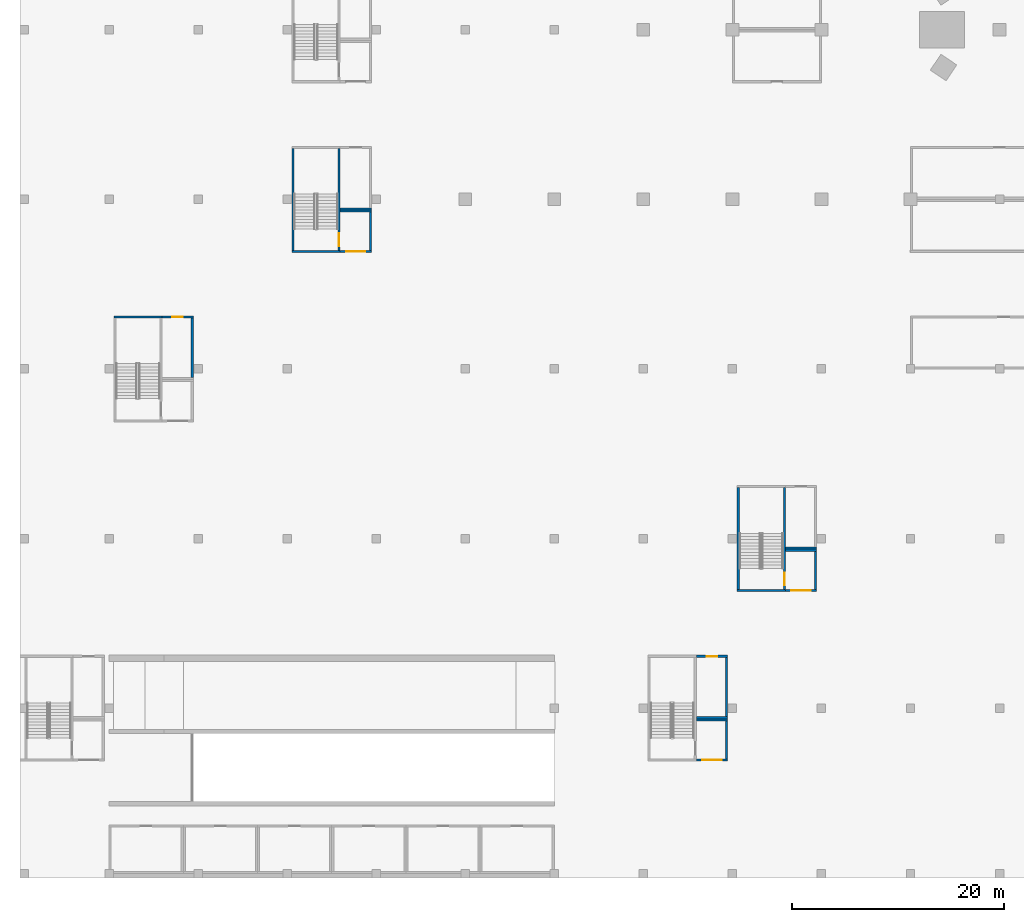
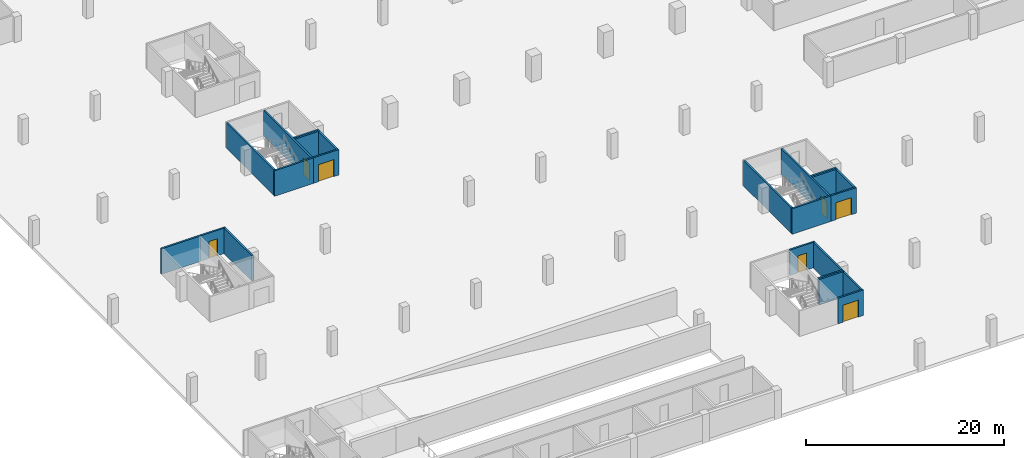
# One storey, part 5 of 37: 23 walls, 7 doors, 7 openings.
"""IFC4 building model written with IfcOpenShell, lengths in metres."""

from ifc_helpers import new_model, si_unit, direction, frame, frame_2d, origin, place, context, subcontext, project, spatial, rectangle, extrude, material, layer, layer_set, type_object, element, fill, save


model = new_model("IFC4")

# Units and contexts
model_context = context("Model", 3, precision=1e-05, world=origin(), true_north=direction((0.0, 1.0)))
body_context = subcontext(model_context, "Body", "Model", "MODEL_VIEW")
ifc_project = project(units=[si_unit("LENGTHUNIT", "METRE"), si_unit("AREAUNIT", "SQUARE_METRE"), si_unit("VOLUMEUNIT", "CUBIC_METRE"), si_unit("PLANEANGLEUNIT", "RADIAN"), si_unit("MASSUNIT", "GRAM", prefix="KILO")], contexts=[model_context])

# Site, building, storey
site_placement = place(None, origin())
site = spatial("IfcSite", under=ifc_project, at=site_placement, CompositionType="ELEMENT")
building_placement = place(site_placement, origin())
building = spatial("IfcBuilding", under=site, at=building_placement, Name="Tamra Quay Hotel Tower", CompositionType="ELEMENT")
storey_placement = place(building_placement, frame((0.0, 0.0, -3.60009765625)))
storey = spatial("IfcBuildingStorey", under=building, at=storey_placement, Name="B1", CompositionType="ELEMENT", Elevation=-3.60009765625)

# Wall, opening, door
ifc_material_1 = material(Name="Blockwork", Category="masonry")
ifc_layer_1 = layer(ifc_material_1, 0.199951171875)
ifc_layer_set_1 = layer_set([ifc_layer_1], Name="Car park room wall 200")
wall_type_1 = type_object("IfcWallType", Name="Car park room wall 200", PredefinedType="PARTITIONING", material=ifc_layer_set_1)
wall_1_placement = place(storey_placement, frame((-109.300048828125, -27.10009765625, 0.0), z_axis=(0.0, 0.0, 1.0), x_axis=(1.0, 0.0, 0.0)))
wall_1 = element("IfcWall", 1, at=wall_1_placement, inside=storey, type_object=wall_type_1, Name="PW", PredefinedType="PARTITIONING", context=body_context, shape_type="SweptSolid", body=[
    extrude(rectangle(XDim=2.949951171875, YDim=0.199951171875, at=frame_2d((1.47509765625, 0.0))), origin(), (0.0, 0.0, 1.0), 3.150146484375),
])
opening_1_placement = place(wall_1_placement, frame((0.97509765625, 0.0, 0.0)))
opening_1 = element("IfcOpeningElement", 2, at=opening_1_placement, cuts=wall_1, Name="Opening PD1", PredefinedType="OPENING", context=body_context, shape_type="SweptSolid", body=[
    extrude(rectangle(XDim=1.0, YDim=2.10009765625, at=frame_2d((0.5, 1.050048828125))), frame((0.0, 0.10986328125, 0.0), z_axis=(0.0, -1.0, 0.0), x_axis=(1.0, 0.0, 0.0)), (0.0, 0.0, 1.0), 0.219970703125),
])
ifc_material_2 = material(Name="Car park door 1000 x 2100")
door_type_1 = type_object("IfcDoorType", Name="Car park door 1000 x 2100", OperationType="NOTDEFINED", PredefinedType="DOOR", material=ifc_material_2)
door_1_placement = place(opening_1_placement, origin())
door_1 = element("IfcDoor", 3, at=door_1_placement, inside=storey, type_object=door_type_1, Name="PD1", OperationType="SINGLE_SWING_LEFT", OverallHeight=2.10009765625, OverallWidth=1.0, PredefinedType="DOOR", context=body_context, shape_type="SweptSolid", body=[
    extrude(rectangle(XDim=1.0, YDim=2.10009765625, at=frame_2d((0.5, 1.050048828125))), frame((0.0, 0.02490234375, 0.0), z_axis=(0.0, -1.0, 0.0), x_axis=(1.0, 0.0, 0.0)), (0.0, 0.0, 1.0), 0.050048828125),
])
fill(opening_1, door_1)

# Wall
wall_2_placement = place(storey_placement, frame((-106.449951171875, -32.800048828125, 0.0), z_axis=(0.0, 0.0, 1.0), x_axis=(0.0, 1.0, 0.0)))
element("IfcWall", 4, at=wall_2_placement, inside=storey, type_object=wall_type_1, Name="PW", PredefinedType="PARTITIONING", context=body_context, shape_type="SweptSolid", body=[
    extrude(rectangle(XDim=5.60009765625, YDim=0.199951171875, at=frame_2d((2.800048828125, 0.0))), origin(), (0.0, 0.0, 1.0), 3.150146484375),
])

# Wall, opening, door
wall_3_placement = place(storey_placement, frame((-92.5, -20.89990234375, 0.0), z_axis=(0.0, 0.0, 1.0), x_axis=(1.0, 0.0, 0.0)))
wall_3 = element("IfcWall", 5, at=wall_3_placement, inside=storey, type_object=wall_type_1, Name="PW", PredefinedType="PARTITIONING", context=body_context, shape_type="SweptSolid", body=[
    extrude(rectangle(XDim=2.949951171875, YDim=0.199951171875, at=frame_2d((1.47509765625, 0.0))), origin(), (0.0, 0.0, 1.0), 3.150146484375),
])
opening_2_placement = place(wall_3_placement, frame((0.574951171875, 0.0, 0.0)))
opening_2 = element("IfcOpeningElement", 6, at=opening_2_placement, cuts=wall_3, Name="Opening PD2", PredefinedType="OPENING", context=body_context, shape_type="SweptSolid", body=[
    extrude(rectangle(XDim=1.800048828125, YDim=2.10009765625, at=frame_2d((0.89990234375, 1.050048828125))), frame((0.0, 0.10986328125, 0.0), z_axis=(0.0, -1.0, 0.0), x_axis=(1.0, 0.0, 0.0)), (0.0, 0.0, 1.0), 0.219970703125),
])
ifc_material_3 = material(Name="Plant door 1800 x 2100")
door_type_2 = type_object("IfcDoorType", Name="Plant door 1800 x 2100", OperationType="DOUBLE_DOOR_SINGLE_SWING", PredefinedType="DOOR", material=ifc_material_3)
door_2_placement = place(opening_2_placement, origin())
door_2 = element("IfcDoor", 7, at=door_2_placement, inside=storey, type_object=door_type_2, Name="PD2", OperationType="DOUBLE_DOOR_SINGLE_SWING", OverallHeight=2.10009765625, OverallWidth=1.800048828125, PredefinedType="DOOR", context=body_context, shape_type="SweptSolid", body=[
    extrude(rectangle(XDim=1.800048828125, YDim=2.10009765625, at=frame_2d((0.89990234375, 1.050048828125))), frame((0.0, 0.02490234375, 0.0), z_axis=(0.0, -1.0, 0.0), x_axis=(1.0, 0.0, 0.0)), (0.0, 0.0, 1.0), 0.050048828125),
])
fill(opening_2, door_2)

# Walls
wall_4_placement = place(storey_placement, frame((-92.5, -17.10009765625, 0.0), z_axis=(0.0, 0.0, 1.0), x_axis=(1.0, 0.0, 0.0)))
element("IfcWall", 8, at=wall_4_placement, inside=storey, type_object=wall_type_1, Name="PW", PredefinedType="PARTITIONING", context=body_context, shape_type="SweptSolid", body=[
    extrude(rectangle(XDim=2.949951171875, YDim=0.199951171875, at=frame_2d((1.47509765625, 0.0))), origin(), (0.0, 0.0, 1.0), 3.150146484375),
])
wall_5_placement = place(storey_placement, frame((-89.64990234375, -20.800048828125, 0.0), z_axis=(0.0, 0.0, 1.0), x_axis=(0.0, 1.0, 0.0)))
element("IfcWall", 9, at=wall_5_placement, inside=storey, type_object=wall_type_1, Name="PW", PredefinedType="PARTITIONING", context=body_context, shape_type="SweptSolid", body=[
    extrude(rectangle(XDim=3.60009765625, YDim=0.199951171875, at=frame_2d((1.800048828125, 0.0))), origin(), (0.0, 0.0, 1.0), 3.150146484375),
])
wall_6_placement = place(storey_placement, frame((-92.5, -16.89990234375, 0.0), z_axis=(0.0, 0.0, 1.0), x_axis=(1.0, 0.0, 0.0)))
element("IfcWall", 10, at=wall_6_placement, inside=storey, type_object=wall_type_1, Name="PW", PredefinedType="PARTITIONING", context=body_context, shape_type="SweptSolid", body=[
    extrude(rectangle(XDim=2.949951171875, YDim=0.199951171875, at=frame_2d((1.47509765625, 0.0))), origin(), (0.0, 0.0, 1.0), 3.150146484375),
])

# Wall, opening, door
wall_7_placement = place(storey_placement, frame((-58.89990234375, -68.89990234375, 0.0), z_axis=(0.0, 0.0, 1.0), x_axis=(1.0, 0.0, 0.0)))
wall_7 = element("IfcWall", 11, at=wall_7_placement, inside=storey, type_object=wall_type_1, Name="PW", PredefinedType="PARTITIONING", context=body_context, shape_type="SweptSolid", body=[
    extrude(rectangle(XDim=2.949951171875, YDim=0.199951171875, at=frame_2d((1.47509765625, 0.0))), origin(), (0.0, 0.0, 1.0), 3.150146484375),
])
opening_3_placement = place(wall_7_placement, frame((0.574951171875, 0.0, 0.0)))
opening_3 = element("IfcOpeningElement", 12, at=opening_3_placement, cuts=wall_7, Name="Opening PD2", PredefinedType="OPENING", context=body_context, shape_type="SweptSolid", body=[
    extrude(rectangle(XDim=1.800048828125, YDim=2.10009765625, at=frame_2d((0.89990234375, 1.050048828125))), frame((0.0, 0.10986328125, 0.0), z_axis=(0.0, -1.0, 0.0), x_axis=(1.0, 0.0, 0.0)), (0.0, 0.0, 1.0), 0.219970703125),
])
door_3_placement = place(opening_3_placement, origin())
door_3 = element("IfcDoor", 13, at=door_3_placement, inside=storey, type_object=door_type_2, Name="PD2", OperationType="DOUBLE_DOOR_SINGLE_SWING", OverallHeight=2.10009765625, OverallWidth=1.800048828125, PredefinedType="DOOR", context=body_context, shape_type="SweptSolid", body=[
    extrude(rectangle(XDim=1.800048828125, YDim=2.10009765625, at=frame_2d((0.89990234375, 1.050048828125))), frame((0.0, 0.02490234375, 0.0), z_axis=(0.0, -1.0, 0.0), x_axis=(1.0, 0.0, 0.0)), (0.0, 0.0, 1.0), 0.050048828125),
])
fill(opening_3, door_3)

# Walls
wall_8_placement = place(storey_placement, frame((-58.89990234375, -65.10009765625, 0.0), z_axis=(0.0, 0.0, 1.0), x_axis=(1.0, 0.0, 0.0)))
element("IfcWall", 14, at=wall_8_placement, inside=storey, type_object=wall_type_1, Name="PW", PredefinedType="PARTITIONING", context=body_context, shape_type="SweptSolid", body=[
    extrude(rectangle(XDim=2.949951171875, YDim=0.199951171875, at=frame_2d((1.47509765625, 0.0))), origin(), (0.0, 0.0, 1.0), 3.150146484375),
])
wall_9_placement = place(storey_placement, frame((-56.050048828125, -68.800048828125, 0.0), z_axis=(0.0, 0.0, 1.0), x_axis=(0.0, 1.0, 0.0)))
element("IfcWall", 15, at=wall_9_placement, inside=storey, type_object=wall_type_1, Name="PW", PredefinedType="PARTITIONING", context=body_context, shape_type="SweptSolid", body=[
    extrude(rectangle(XDim=3.60009765625, YDim=0.199951171875, at=frame_2d((1.800048828125, 0.0))), origin(), (0.0, 0.0, 1.0), 3.150146484375),
])
wall_10_placement = place(storey_placement, frame((-58.89990234375, -64.89990234375, 0.0), z_axis=(0.0, 0.0, 1.0), x_axis=(1.0, 0.0, 0.0)))
element("IfcWall", 16, at=wall_10_placement, inside=storey, type_object=wall_type_1, Name="PW", PredefinedType="PARTITIONING", context=body_context, shape_type="SweptSolid", body=[
    extrude(rectangle(XDim=2.949951171875, YDim=0.199951171875, at=frame_2d((1.47509765625, 0.0))), origin(), (0.0, 0.0, 1.0), 3.150146484375),
])

# Wall, opening, door
wall_11_placement = place(storey_placement, frame((-58.89990234375, -59.10009765625, 0.0), z_axis=(0.0, 0.0, 1.0), x_axis=(1.0, 0.0, 0.0)))
wall_11 = element("IfcWall", 17, at=wall_11_placement, inside=storey, type_object=wall_type_1, Name="PW", PredefinedType="PARTITIONING", context=body_context, shape_type="SweptSolid", body=[
    extrude(rectangle(XDim=2.949951171875, YDim=0.199951171875, at=frame_2d((1.47509765625, 0.0))), origin(), (0.0, 0.0, 1.0), 3.150146484375),
])
opening_4_placement = place(wall_11_placement, frame((0.97509765625, 0.0, 0.0)))
opening_4 = element("IfcOpeningElement", 18, at=opening_4_placement, cuts=wall_11, Name="Opening PD1", PredefinedType="OPENING", context=body_context, shape_type="SweptSolid", body=[
    extrude(rectangle(XDim=1.0, YDim=2.10009765625, at=frame_2d((0.5, 1.050048828125))), frame((0.0, 0.10986328125, 0.0), z_axis=(0.0, -1.0, 0.0), x_axis=(1.0, 0.0, 0.0)), (0.0, 0.0, 1.0), 0.219970703125),
])
door_4_placement = place(opening_4_placement, origin())
door_4 = element("IfcDoor", 19, at=door_4_placement, inside=storey, type_object=door_type_1, Name="PD1", OperationType="SINGLE_SWING_LEFT", OverallHeight=2.10009765625, OverallWidth=1.0, PredefinedType="DOOR", context=body_context, shape_type="SweptSolid", body=[
    extrude(rectangle(XDim=1.0, YDim=2.10009765625, at=frame_2d((0.5, 1.050048828125))), frame((0.0, 0.02490234375, 0.0), z_axis=(0.0, -1.0, 0.0), x_axis=(1.0, 0.0, 0.0)), (0.0, 0.0, 1.0), 0.050048828125),
])
fill(opening_4, door_4)

# Wall
wall_12_placement = place(storey_placement, frame((-56.050048828125, -64.800048828125, 0.0), z_axis=(0.0, 0.0, 1.0), x_axis=(0.0, 1.0, 0.0)))
element("IfcWall", 20, at=wall_12_placement, inside=storey, type_object=wall_type_1, Name="PW", PredefinedType="PARTITIONING", context=body_context, shape_type="SweptSolid", body=[
    extrude(rectangle(XDim=5.60009765625, YDim=0.199951171875, at=frame_2d((2.800048828125, 0.0))), origin(), (0.0, 0.0, 1.0), 3.150146484375),
])

# Wall, opening, door
wall_13_placement = place(storey_placement, frame((-50.5, -52.89990234375, 0.0), z_axis=(0.0, 0.0, 1.0), x_axis=(1.0, 0.0, 0.0)))
wall_13 = element("IfcWall", 21, at=wall_13_placement, inside=storey, type_object=wall_type_1, Name="PW", PredefinedType="PARTITIONING", context=body_context, shape_type="SweptSolid", body=[
    extrude(rectangle(XDim=2.949951171875, YDim=0.199951171875, at=frame_2d((1.47509765625, 0.0))), origin(), (0.0, 0.0, 1.0), 3.150146484375),
])
opening_5_placement = place(wall_13_placement, frame((0.574951171875, 0.0, 0.0)))
opening_5 = element("IfcOpeningElement", 22, at=opening_5_placement, cuts=wall_13, Name="Opening PD2", PredefinedType="OPENING", context=body_context, shape_type="SweptSolid", body=[
    extrude(rectangle(XDim=1.800048828125, YDim=2.10009765625, at=frame_2d((0.89990234375, 1.050048828125))), frame((0.0, 0.10986328125, 0.0), z_axis=(0.0, -1.0, 0.0), x_axis=(1.0, 0.0, 0.0)), (0.0, 0.0, 1.0), 0.219970703125),
])
door_5_placement = place(opening_5_placement, origin())
door_5 = element("IfcDoor", 23, at=door_5_placement, inside=storey, type_object=door_type_2, Name="PD2", OperationType="DOUBLE_DOOR_SINGLE_SWING", OverallHeight=2.10009765625, OverallWidth=1.800048828125, PredefinedType="DOOR", context=body_context, shape_type="SweptSolid", body=[
    extrude(rectangle(XDim=1.800048828125, YDim=2.10009765625, at=frame_2d((0.89990234375, 1.050048828125))), frame((0.0, 0.02490234375, 0.0), z_axis=(0.0, -1.0, 0.0), x_axis=(1.0, 0.0, 0.0)), (0.0, 0.0, 1.0), 0.050048828125),
])
fill(opening_5, door_5)

# Walls
wall_14_placement = place(storey_placement, frame((-50.5, -49.10009765625, 0.0), z_axis=(0.0, 0.0, 1.0), x_axis=(1.0, 0.0, 0.0)))
element("IfcWall", 24, at=wall_14_placement, inside=storey, type_object=wall_type_1, Name="PW", PredefinedType="PARTITIONING", context=body_context, shape_type="SweptSolid", body=[
    extrude(rectangle(XDim=2.949951171875, YDim=0.199951171875, at=frame_2d((1.47509765625, 0.0))), origin(), (0.0, 0.0, 1.0), 3.150146484375),
])
wall_15_placement = place(storey_placement, frame((-47.64990234375, -52.800048828125, 0.0), z_axis=(0.0, 0.0, 1.0), x_axis=(0.0, 1.0, 0.0)))
element("IfcWall", 25, at=wall_15_placement, inside=storey, type_object=wall_type_1, Name="PW", PredefinedType="PARTITIONING", context=body_context, shape_type="SweptSolid", body=[
    extrude(rectangle(XDim=3.60009765625, YDim=0.199951171875, at=frame_2d((1.800048828125, 0.0))), origin(), (0.0, 0.0, 1.0), 3.150146484375),
])
wall_16_placement = place(storey_placement, frame((-50.5, -48.89990234375, 0.0), z_axis=(0.0, 0.0, 1.0), x_axis=(1.0, 0.0, 0.0)))
element("IfcWall", 26, at=wall_16_placement, inside=storey, type_object=wall_type_1, Name="PW", PredefinedType="PARTITIONING", context=body_context, shape_type="SweptSolid", body=[
    extrude(rectangle(XDim=2.949951171875, YDim=0.199951171875, at=frame_2d((1.47509765625, 0.0))), origin(), (0.0, 0.0, 1.0), 3.150146484375),
])
ifc_material_4 = material(Name="Concrete M70", Category="concrete")
ifc_layer_2 = layer(ifc_material_4, 0.199951171875)
ifc_layer_set_2 = layer_set([ifc_layer_2], Name="Concrete M70 stair enclosure wall 200")
wall_type_2 = type_object("IfcWallType", Name="Concrete M70 stair enclosure wall 200", PredefinedType="SOLIDWALL", material=ifc_layer_set_2)
wall_17_placement = place(storey_placement, frame((-113.85009765625, -27.10009765625, 0.0), z_axis=(0.0, 0.0, 1.0), x_axis=(1.0, 0.0, 0.0)))
element("IfcWall", 27, at=wall_17_placement, inside=storey, type_object=wall_type_2, Name="SEW", PredefinedType="SOLIDWALL", context=body_context, shape_type="SweptSolid", body=[
    extrude(rectangle(XDim=4.550048828125, YDim=0.199951171875, at=frame_2d((2.27490234375, 0.0))), origin(), (0.0, 0.0, 1.0), 3.150146484375),
])
wall_18_placement = place(storey_placement, frame((-96.949951171875, -20.800048828125, 0.0), z_axis=(0.0, 0.0, 1.0), x_axis=(0.0, 1.0, 0.0)))
element("IfcWall", 28, at=wall_18_placement, inside=storey, type_object=wall_type_2, Name="SEW", PredefinedType="SOLIDWALL", context=body_context, shape_type="SweptSolid", body=[
    extrude(rectangle(XDim=9.60009765625, YDim=0.199951171875, at=frame_2d((4.800048828125, 0.0))), origin(), (0.0, 0.0, 1.0), 3.150146484375),
])

# Wall, opening, door
wall_19_placement = place(storey_placement, frame((-92.60009765625, -20.800048828125, 0.0), z_axis=(0.0, 0.0, 1.0), x_axis=(0.0, 1.0, 0.0)))
wall_19 = element("IfcWall", 29, at=wall_19_placement, inside=storey, type_object=wall_type_2, Name="SEW", PredefinedType="SOLIDWALL", context=body_context, shape_type="SweptSolid", body=[
    extrude(rectangle(XDim=9.60009765625, YDim=0.199951171875, at=frame_2d((4.800048828125, 0.0))), origin(), (0.0, 0.0, 1.0), 3.150146484375),
])
opening_6_placement = place(wall_19_placement, frame((0.39990234375, 0.0, 0.0)))
opening_6 = element("IfcOpeningElement", 30, at=opening_6_placement, cuts=wall_19, Name="Opening SD1", PredefinedType="OPENING", context=body_context, shape_type="SweptSolid", body=[
    extrude(rectangle(XDim=1.199951171875, YDim=2.10009765625, at=frame_2d((0.60009765625, 1.050048828125))), frame((0.0, 0.10986328125, 0.0), z_axis=(0.0, -1.0, 0.0), x_axis=(1.0, 0.0, 0.0)), (0.0, 0.0, 1.0), 0.219970703125),
])
ifc_material_5 = material(Name="Stair door 1200 x 2100")
door_type_3 = type_object("IfcDoorType", Name="Stair door 1200 x 2100", OperationType="NOTDEFINED", PredefinedType="DOOR", material=ifc_material_5)
door_6_placement = place(opening_6_placement, origin())
door_6 = element("IfcDoor", 31, at=door_6_placement, inside=storey, type_object=door_type_3, Name="SD1", OperationType="SINGLE_SWING_LEFT", OverallHeight=2.10009765625, OverallWidth=1.199951171875, PredefinedType="DOOR", context=body_context, shape_type="SweptSolid", body=[
    extrude(rectangle(XDim=1.199951171875, YDim=2.10009765625, at=frame_2d((0.60009765625, 1.050048828125))), frame((0.0, 0.02490234375, 0.0), z_axis=(0.0, -1.0, 0.0), x_axis=(1.0, 0.0, 0.0)), (0.0, 0.0, 1.0), 0.050048828125),
])
fill(opening_6, door_6)

# Walls
wall_20_placement = place(storey_placement, frame((-92.5, -20.89990234375, 0.0), z_axis=(0.0, 0.0, 1.0), x_axis=(-1.0, 0.0, 0.0)))
element("IfcWall", 32, at=wall_20_placement, inside=storey, type_object=wall_type_2, Name="SEW", PredefinedType="SOLIDWALL", context=body_context, shape_type="SweptSolid", body=[
    extrude(rectangle(XDim=4.550048828125, YDim=0.199951171875, at=frame_2d((2.27490234375, 0.0))), origin(), (0.0, 0.0, 1.0), 3.150146484375),
])
wall_21_placement = place(storey_placement, frame((-54.949951171875, -52.800048828125, 0.0), z_axis=(0.0, 0.0, 1.0), x_axis=(0.0, 1.0, 0.0)))
element("IfcWall", 33, at=wall_21_placement, inside=storey, type_object=wall_type_2, Name="SEW", PredefinedType="SOLIDWALL", context=body_context, shape_type="SweptSolid", body=[
    extrude(rectangle(XDim=9.60009765625, YDim=0.199951171875, at=frame_2d((4.800048828125, 0.0))), origin(), (0.0, 0.0, 1.0), 3.150146484375),
])

# Wall, opening, door
wall_22_placement = place(storey_placement, frame((-50.60009765625, -52.800048828125, 0.0), z_axis=(0.0, 0.0, 1.0), x_axis=(0.0, 1.0, 0.0)))
wall_22 = element("IfcWall", 34, at=wall_22_placement, inside=storey, type_object=wall_type_2, Name="SEW", PredefinedType="SOLIDWALL", context=body_context, shape_type="SweptSolid", body=[
    extrude(rectangle(XDim=9.60009765625, YDim=0.199951171875, at=frame_2d((4.800048828125, 0.0))), origin(), (0.0, 0.0, 1.0), 3.150146484375),
])
opening_7_placement = place(wall_22_placement, frame((0.39990234375, 0.0, 0.0)))
opening_7 = element("IfcOpeningElement", 35, at=opening_7_placement, cuts=wall_22, Name="Opening SD1", PredefinedType="OPENING", context=body_context, shape_type="SweptSolid", body=[
    extrude(rectangle(XDim=1.199951171875, YDim=2.10009765625, at=frame_2d((0.60009765625, 1.050048828125))), frame((0.0, 0.10986328125, 0.0), z_axis=(0.0, -1.0, 0.0), x_axis=(1.0, 0.0, 0.0)), (0.0, 0.0, 1.0), 0.219970703125),
])
door_7_placement = place(opening_7_placement, origin())
door_7 = element("IfcDoor", 36, at=door_7_placement, inside=storey, type_object=door_type_3, Name="SD1", OperationType="SINGLE_SWING_LEFT", OverallHeight=2.10009765625, OverallWidth=1.199951171875, PredefinedType="DOOR", context=body_context, shape_type="SweptSolid", body=[
    extrude(rectangle(XDim=1.199951171875, YDim=2.10009765625, at=frame_2d((0.60009765625, 1.050048828125))), frame((0.0, 0.02490234375, 0.0), z_axis=(0.0, -1.0, 0.0), x_axis=(1.0, 0.0, 0.0)), (0.0, 0.0, 1.0), 0.050048828125),
])
fill(opening_7, door_7)

# Wall
wall_23_placement = place(storey_placement, frame((-50.5, -52.89990234375, 0.0), z_axis=(0.0, 0.0, 1.0), x_axis=(-1.0, 0.0, 0.0)))
element("IfcWall", 37, at=wall_23_placement, inside=storey, type_object=wall_type_2, Name="SEW", PredefinedType="SOLIDWALL", context=body_context, shape_type="SweptSolid", body=[
    extrude(rectangle(XDim=4.550048828125, YDim=0.199951171875, at=frame_2d((2.27490234375, 0.0))), origin(), (0.0, 0.0, 1.0), 3.150146484375),
])

save(model, "model.ifc")
